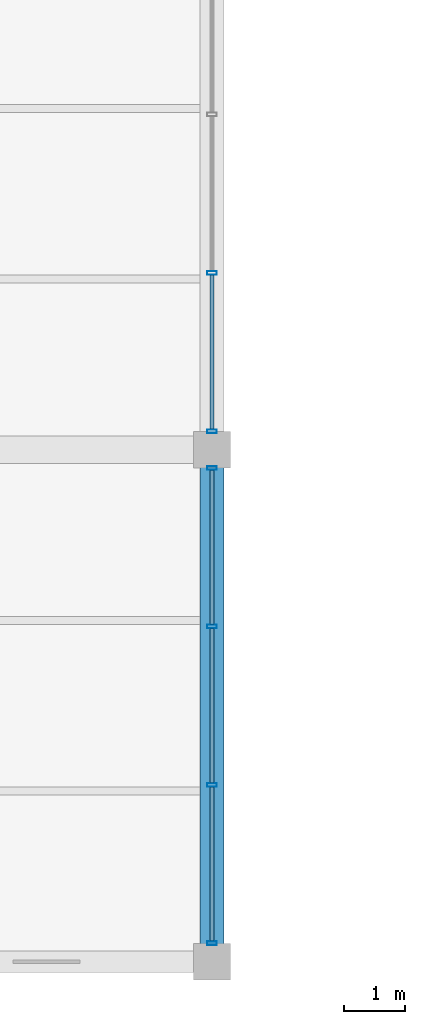
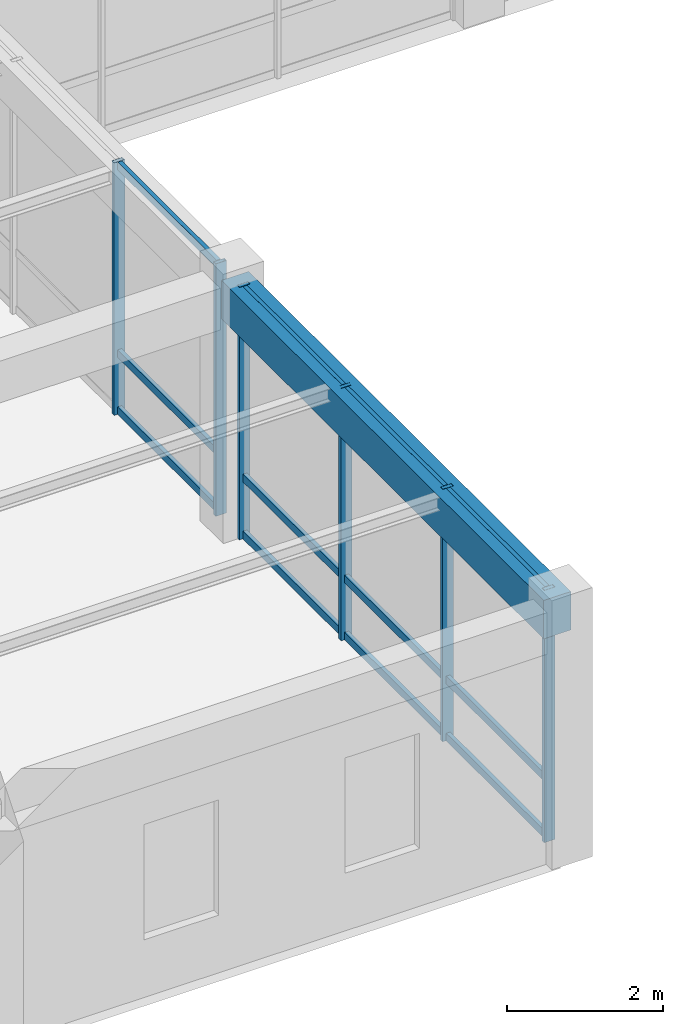
# One storey, part 7 of 114: 18 members, 1 beam, 2 elements without a shape of their own.
"""IFC4 building model written with IfcOpenShell, lengths in metres."""

from ifc_helpers import new_model, si_unit, direction, frame, origin, origin_2d, place, context, subcontext, project, spatial, rectangle, hollow_rectangle, extrude, material, material_profile, profile_set, type_object, element, aggregate, save


model = new_model("IFC4")

# Units and contexts
model_context = context("Model", 3, precision=1e-05, world=origin(), true_north=direction((0.0, 1.0)))
body_context = subcontext(model_context, "Body", "Model", "MODEL_VIEW")
ifc_project = project(units=[si_unit("LENGTHUNIT", "METRE"), si_unit("AREAUNIT", "SQUARE_METRE"), si_unit("VOLUMEUNIT", "CUBIC_METRE"), si_unit("PLANEANGLEUNIT", "RADIAN"), si_unit("MASSUNIT", "GRAM", prefix="KILO"), si_unit("THERMODYNAMICTEMPERATUREUNIT", "KELVIN"), si_unit("POWERUNIT", "WATT")], contexts=[model_context])

# Site, building, storey
site_placement = place(None, origin())
site = spatial("IfcSite", under=ifc_project, at=site_placement, CompositionType="ELEMENT")
building_placement = place(site_placement, origin())
building = spatial("IfcBuilding", under=site, at=building_placement, Name="Darbajah Civic Hall", CompositionType="ELEMENT")
storey_placement = place(building_placement, frame((0.0, 0.0, 13.800048828125)))
storey = spatial("IfcBuildingStorey", under=building, at=storey_placement, Name="L03", CompositionType="ELEMENT", Elevation=13.800048828125)

# Curtain wall, members
ifc_material_1 = material(Name="Anodised Bronze Aluminium and Low-E Glazing", Category="aluminium")
curtain_wall_type = type_object("IfcCurtainWallType", Name="Unitised Curtain Wall CW-100 7800x3950", PredefinedType="USERDEFINED", material=ifc_material_1)
curtain_wall_1_placement = place(storey_placement, origin())
curtain_wall_1 = element("IfcCurtainWall", 1, at=curtain_wall_1_placement, inside=storey, type_object=curtain_wall_type, Name="L03 unitised curtain wall CW-V5-L03-S1-B0", ObjectType="UNITISED CURTAIN WALL", PredefinedType="USERDEFINED")
ifc_material_2 = material(Name="Anodised Bronze Aluminium", Category="aluminium")
ifc_material_profile_1 = material_profile(ifc_material_2, hollow_rectangle(XDim=0.06005859375, YDim=0.159912109375, WallThickness=0.00341796875, at=origin_2d()), Name="ALU MULLION 60x160")
ifc_profile_set_1 = profile_set([ifc_material_profile_1], Name="Anodised Bronze Aluminium")
member_type_1 = type_object("IfcMemberType", Name="ALU MULLION 60x160", PredefinedType="MULLION", material=ifc_profile_set_1)
member_1_placement = place(storey_placement, frame((16.800048828125, 0.302001953125, 0.0), z_axis=(0.0, 0.0, 1.0), x_axis=(0.0, 1.0, 0.0)))
member_1 = element("IfcMember", 2, at=member_1_placement, type_object=member_type_1, Name="CW-V5-L03-S1-B0 mullion 1", PredefinedType="MULLION", context=body_context, shape_type="SweptSolid", body=[
    extrude(hollow_rectangle(XDim=0.06005859375, YDim=0.159912109375, WallThickness=0.00341796875, at=origin_2d()), origin(), (0.0, 0.0, 1.0), 3.93994140625),
])
member_2_placement = place(storey_placement, frame((16.800048828125, 2.900634765625, 0.0), z_axis=(0.0, 0.0, 1.0), x_axis=(0.0, 1.0, 0.0)))
member_2 = element("IfcMember", 3, at=member_2_placement, type_object=member_type_1, Name="CW-V5-L03-S1-B0 mullion 2", PredefinedType="MULLION", context=body_context, shape_type="SweptSolid", body=[
    extrude(hollow_rectangle(XDim=0.06005859375, YDim=0.159912109375, WallThickness=0.00341796875, at=origin_2d()), origin(), (0.0, 0.0, 1.0), 3.93994140625),
])
member_3_placement = place(storey_placement, frame((16.800048828125, 5.499267578125, 0.0), z_axis=(0.0, 0.0, 1.0), x_axis=(0.0, 1.0, 0.0)))
member_3 = element("IfcMember", 4, at=member_3_placement, type_object=member_type_1, Name="CW-V5-L03-S1-B0 mullion 3", PredefinedType="MULLION", context=body_context, shape_type="SweptSolid", body=[
    extrude(hollow_rectangle(XDim=0.06005859375, YDim=0.159912109375, WallThickness=0.00341796875, at=origin_2d()), origin(), (0.0, 0.0, 1.0), 3.93994140625),
])
member_4_placement = place(storey_placement, frame((16.800048828125, 8.097900390625, 0.0), z_axis=(0.0, 0.0, 1.0), x_axis=(0.0, 1.0, 0.0)))
member_4 = element("IfcMember", 5, at=member_4_placement, type_object=member_type_1, Name="CW-V5-L03-S1-B0 mullion 4", PredefinedType="MULLION", context=body_context, shape_type="SweptSolid", body=[
    extrude(hollow_rectangle(XDim=0.06005859375, YDim=0.159912109375, WallThickness=0.00341796875, at=origin_2d()), origin(), (0.0, 0.0, 1.0), 3.93994140625),
])

curtain_wall_2_placement = place(storey_placement, origin())
curtain_wall_2 = element("IfcCurtainWall", 6, at=curtain_wall_2_placement, inside=storey, type_object=curtain_wall_type, Name="L03 unitised curtain wall CW-V5-L03-S1-B1", ObjectType="UNITISED CURTAIN WALL", PredefinedType="USERDEFINED")
member_5_placement = place(storey_placement, frame((16.800048828125, 8.701904296875, 0.0), z_axis=(0.0, 0.0, 1.0), x_axis=(0.0, 1.0, 0.0)))
member_5 = element("IfcMember", 7, at=member_5_placement, type_object=member_type_1, Name="CW-V5-L03-S1-B1 mullion 1", PredefinedType="MULLION", context=body_context, shape_type="SweptSolid", body=[
    extrude(hollow_rectangle(XDim=0.06005859375, YDim=0.159912109375, WallThickness=0.00341796875, at=origin_2d()), origin(), (0.0, 0.0, 1.0), 3.93994140625),
])
member_6_placement = place(storey_placement, frame((16.800048828125, 11.30078125, 0.0), z_axis=(0.0, 0.0, 1.0), x_axis=(0.0, 1.0, 0.0)))
member_6 = element("IfcMember", 8, at=member_6_placement, type_object=member_type_1, Name="CW-V5-L03-S1-B1 mullion 2", PredefinedType="MULLION", context=body_context, shape_type="SweptSolid", body=[
    extrude(hollow_rectangle(XDim=0.06005859375, YDim=0.159912109375, WallThickness=0.00341796875, at=origin_2d()), origin(), (0.0, 0.0, 1.0), 3.93994140625),
])

# Member
ifc_material_profile_2 = material_profile(ifc_material_2, hollow_rectangle(XDim=0.06005859375, YDim=0.1201171875, WallThickness=0.003173828125, at=origin_2d()), Name="ALU TRANSOM 60x120")
ifc_profile_set_2 = profile_set([ifc_material_profile_2], Name="Anodised Bronze Aluminium")
member_type_2 = type_object("IfcMemberType", Name="ALU TRANSOM 60x120", PredefinedType="USERDEFINED", material=ifc_profile_set_2)
member_7_placement = place(storey_placement, frame((16.800048828125, 0.3369140625, 0.06005859375), z_axis=(0.0, 1.0, 0.0), x_axis=(-1.0, 0.0, 0.0)))
member_7 = element("IfcMember", 9, at=member_7_placement, type_object=member_type_2, Name="CW-V5-L03-S1-B0 transom 1.1", ObjectType="TRANSOM", PredefinedType="USERDEFINED", context=body_context, shape_type="SweptSolid", body=[
    extrude(hollow_rectangle(XDim=0.06005859375, YDim=0.1201171875, WallThickness=0.003173828125, at=origin_2d()), origin(), (0.0, 0.0, 1.0), 2.52880859375),
])

member_8_placement = place(storey_placement, frame((16.800048828125, 0.3369140625, 0.949951171875), z_axis=(0.0, 1.0, 0.0), x_axis=(-1.0, 0.0, 0.0)))
member_8 = element("IfcMember", 10, at=member_8_placement, type_object=member_type_2, Name="CW-V5-L03-S1-B0 transom 1.2", ObjectType="TRANSOM", PredefinedType="USERDEFINED", context=body_context, shape_type="SweptSolid", body=[
    extrude(hollow_rectangle(XDim=0.06005859375, YDim=0.1201171875, WallThickness=0.003173828125, at=origin_2d()), origin(), (0.0, 0.0, 1.0), 2.52880859375),
])

member_9_placement = place(storey_placement, frame((16.800048828125, 0.3369140625, 3.8798828125), z_axis=(0.0, 1.0, 0.0), x_axis=(-1.0, 0.0, 0.0)))
member_9 = element("IfcMember", 11, at=member_9_placement, type_object=member_type_2, Name="CW-V5-L03-S1-B0 transom 1.3", ObjectType="TRANSOM", PredefinedType="USERDEFINED", context=body_context, shape_type="SweptSolid", body=[
    extrude(hollow_rectangle(XDim=0.06005859375, YDim=0.1201171875, WallThickness=0.003173828125, at=origin_2d()), origin(), (0.0, 0.0, 1.0), 2.52880859375),
])

member_10_placement = place(storey_placement, frame((16.800048828125, 2.935791015625, 0.06005859375), z_axis=(0.0, 1.0, 0.0), x_axis=(-1.0, 0.0, 0.0)))
member_10 = element("IfcMember", 12, at=member_10_placement, type_object=member_type_2, Name="CW-V5-L03-S1-B0 transom 2.1", ObjectType="TRANSOM", PredefinedType="USERDEFINED", context=body_context, shape_type="SweptSolid", body=[
    extrude(hollow_rectangle(XDim=0.06005859375, YDim=0.1201171875, WallThickness=0.003173828125, at=origin_2d()), origin(), (0.0, 0.0, 1.0), 2.528564453125),
])

member_11_placement = place(storey_placement, frame((16.800048828125, 2.935791015625, 0.949951171875), z_axis=(0.0, 1.0, 0.0), x_axis=(-1.0, 0.0, 0.0)))
member_11 = element("IfcMember", 13, at=member_11_placement, type_object=member_type_2, Name="CW-V5-L03-S1-B0 transom 2.2", ObjectType="TRANSOM", PredefinedType="USERDEFINED", context=body_context, shape_type="SweptSolid", body=[
    extrude(hollow_rectangle(XDim=0.06005859375, YDim=0.1201171875, WallThickness=0.003173828125, at=origin_2d()), origin(), (0.0, 0.0, 1.0), 2.528564453125),
])

member_12_placement = place(storey_placement, frame((16.800048828125, 2.935791015625, 3.8798828125), z_axis=(0.0, 1.0, 0.0), x_axis=(-1.0, 0.0, 0.0)))
member_12 = element("IfcMember", 14, at=member_12_placement, type_object=member_type_2, Name="CW-V5-L03-S1-B0 transom 2.3", ObjectType="TRANSOM", PredefinedType="USERDEFINED", context=body_context, shape_type="SweptSolid", body=[
    extrude(hollow_rectangle(XDim=0.06005859375, YDim=0.1201171875, WallThickness=0.003173828125, at=origin_2d()), origin(), (0.0, 0.0, 1.0), 2.528564453125),
])

member_13_placement = place(storey_placement, frame((16.800048828125, 5.5341796875, 0.06005859375), z_axis=(0.0, 1.0, 0.0), x_axis=(-1.0, 0.0, 0.0)))
member_13 = element("IfcMember", 15, at=member_13_placement, type_object=member_type_2, Name="CW-V5-L03-S1-B0 transom 3.1", ObjectType="TRANSOM", PredefinedType="USERDEFINED", context=body_context, shape_type="SweptSolid", body=[
    extrude(hollow_rectangle(XDim=0.06005859375, YDim=0.1201171875, WallThickness=0.003173828125, at=origin_2d()), origin(), (0.0, 0.0, 1.0), 2.52880859375),
])

member_14_placement = place(storey_placement, frame((16.800048828125, 5.5341796875, 0.949951171875), z_axis=(0.0, 1.0, 0.0), x_axis=(-1.0, 0.0, 0.0)))
member_14 = element("IfcMember", 16, at=member_14_placement, type_object=member_type_2, Name="CW-V5-L03-S1-B0 transom 3.2", ObjectType="TRANSOM", PredefinedType="USERDEFINED", context=body_context, shape_type="SweptSolid", body=[
    extrude(hollow_rectangle(XDim=0.06005859375, YDim=0.1201171875, WallThickness=0.003173828125, at=origin_2d()), origin(), (0.0, 0.0, 1.0), 2.52880859375),
])

member_15_placement = place(storey_placement, frame((16.800048828125, 5.5341796875, 3.8798828125), z_axis=(0.0, 1.0, 0.0), x_axis=(-1.0, 0.0, 0.0)))
member_15 = element("IfcMember", 17, at=member_15_placement, type_object=member_type_2, Name="CW-V5-L03-S1-B0 transom 3.3", ObjectType="TRANSOM", PredefinedType="USERDEFINED", context=body_context, shape_type="SweptSolid", body=[
    extrude(hollow_rectangle(XDim=0.06005859375, YDim=0.1201171875, WallThickness=0.003173828125, at=origin_2d()), origin(), (0.0, 0.0, 1.0), 2.52880859375),
])

aggregate(curtain_wall_1, [member_1, member_2, member_3, member_4, member_7, member_8, member_9, member_10, member_11, member_12, member_13, member_14, member_15])

member_16_placement = place(storey_placement, frame((16.800048828125, 8.737060546875, 0.06005859375), z_axis=(0.0, 1.0, 0.0), x_axis=(-1.0, 0.0, 0.0)))
member_16 = element("IfcMember", 18, at=member_16_placement, type_object=member_type_2, Name="CW-V5-L03-S1-B1 transom 1.1", ObjectType="TRANSOM", PredefinedType="USERDEFINED", context=body_context, shape_type="SweptSolid", body=[
    extrude(hollow_rectangle(XDim=0.06005859375, YDim=0.1201171875, WallThickness=0.003173828125, at=origin_2d()), origin(), (0.0, 0.0, 1.0), 2.528564453125),
])

member_17_placement = place(storey_placement, frame((16.800048828125, 8.737060546875, 0.949951171875), z_axis=(0.0, 1.0, 0.0), x_axis=(-1.0, 0.0, 0.0)))
member_17 = element("IfcMember", 19, at=member_17_placement, type_object=member_type_2, Name="CW-V5-L03-S1-B1 transom 1.2", ObjectType="TRANSOM", PredefinedType="USERDEFINED", context=body_context, shape_type="SweptSolid", body=[
    extrude(hollow_rectangle(XDim=0.06005859375, YDim=0.1201171875, WallThickness=0.003173828125, at=origin_2d()), origin(), (0.0, 0.0, 1.0), 2.528564453125),
])

member_18_placement = place(storey_placement, frame((16.800048828125, 8.737060546875, 3.8798828125), z_axis=(0.0, 1.0, 0.0), x_axis=(-1.0, 0.0, 0.0)))
member_18 = element("IfcMember", 20, at=member_18_placement, type_object=member_type_2, Name="CW-V5-L03-S1-B1 transom 1.3", ObjectType="TRANSOM", PredefinedType="USERDEFINED", context=body_context, shape_type="SweptSolid", body=[
    extrude(hollow_rectangle(XDim=0.06005859375, YDim=0.1201171875, WallThickness=0.003173828125, at=origin_2d()), origin(), (0.0, 0.0, 1.0), 2.528564453125),
])

aggregate(curtain_wall_2, [member_5, member_6, member_16, member_17, member_18])

# Beam
ifc_material_3 = material(Name="Concrete C45/55", Category="concrete")
ifc_material_profile_3 = material_profile(ifc_material_3, rectangle(XDim=0.39990234375, YDim=0.60009765625, at=origin_2d()), Name="RC BEAM 400x600")
ifc_profile_set_3 = profile_set([ifc_material_profile_3], Name="Concrete C45/55")
beam_type = type_object("IfcBeamType", Name="RC BEAM 400x600", PredefinedType="BEAM", material=ifc_profile_set_3)
beam_placement = place(storey_placement, frame((16.800048828125, 0.080078125, 3.639892578125), z_axis=(0.0, 1.0, 0.0), x_axis=(-1.0, 0.0, 0.0)))
element("IfcBeam", 21, at=beam_placement, inside=storey, type_object=beam_type, Name="L03 beam BM-4060", PredefinedType="BEAM", context=body_context, shape_type="SweptSolid", body=[
    extrude(rectangle(XDim=0.39990234375, YDim=0.60009765625, at=origin_2d()), origin(), (0.0, 0.0, 1.0), 8.239990234375),
])

save(model, "model.ifc")
